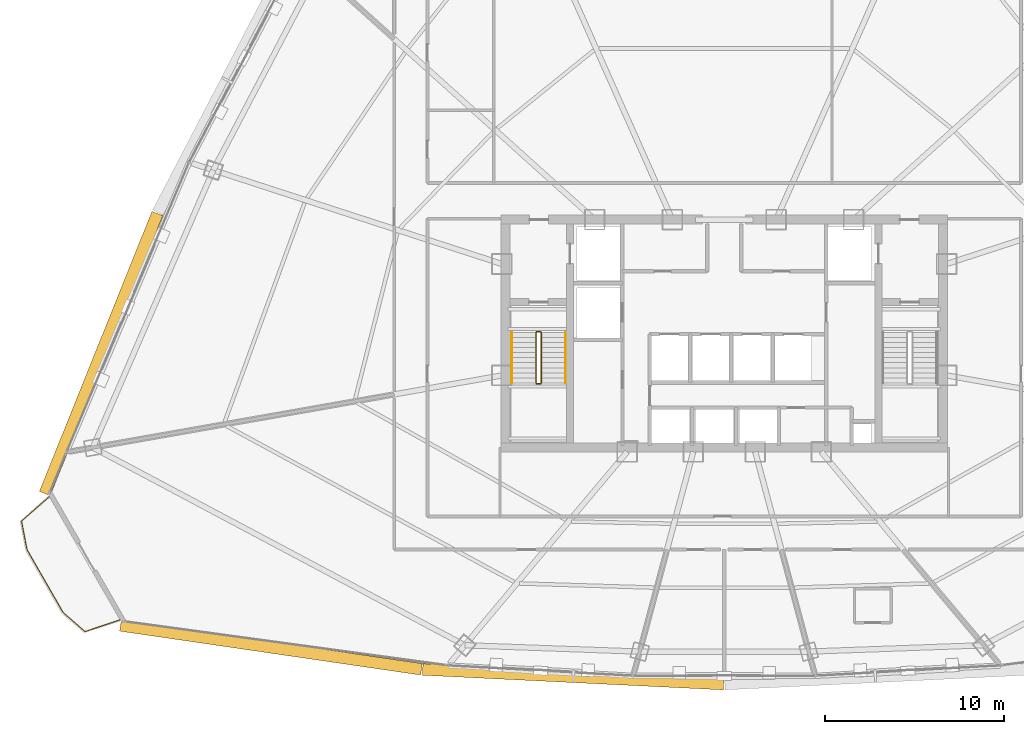
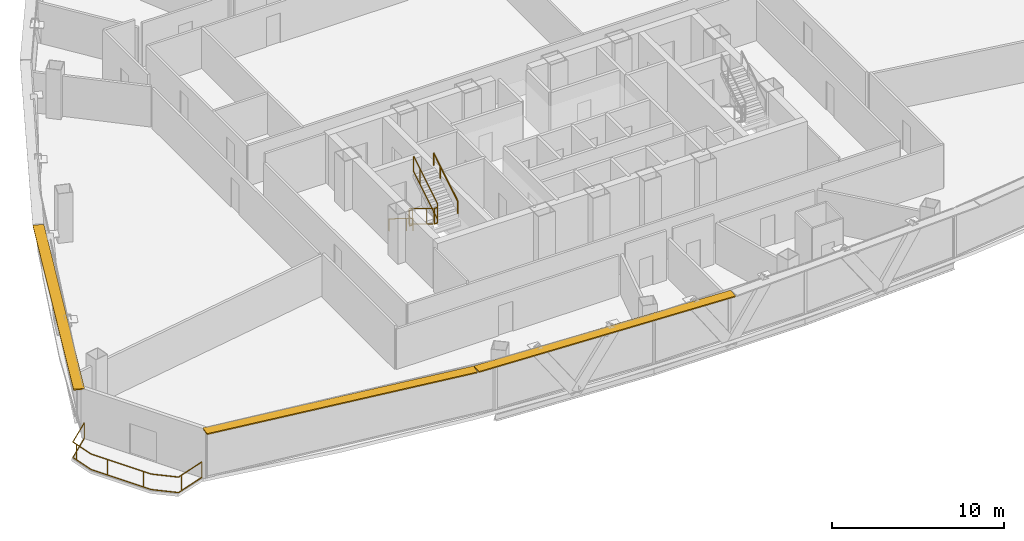
# One storey, part 33 of 36: 7 railings, 3 shading devices.
"""IFC4 building model written with IfcOpenShell, lengths in metres."""

from ifc_helpers import new_model, si_unit, direction, frame, origin, origin_2d, place, context, subcontext, project, spatial, rectangle, extrude, source, transform, mapped, material, layer, layer_set, type_object, element, save


model = new_model("IFC4")

# Units and contexts
model_context = context("Model", 3, precision=1e-05, world=origin(), true_north=direction((0.0, 1.0)))
body_context = subcontext(model_context, "Body", "Model", "MODEL_VIEW")
ifc_project = project(units=[si_unit("LENGTHUNIT", "METRE"), si_unit("AREAUNIT", "SQUARE_METRE"), si_unit("VOLUMEUNIT", "CUBIC_METRE"), si_unit("PLANEANGLEUNIT", "RADIAN"), si_unit("MASSUNIT", "GRAM", prefix="KILO"), si_unit("THERMODYNAMICTEMPERATUREUNIT", "KELVIN"), si_unit("POWERUNIT", "WATT")], contexts=[model_context])

# Site, building, storey
site_placement = place(None, origin())
site = spatial("IfcSite", under=ifc_project, at=site_placement, CompositionType="ELEMENT")
building_placement = place(site_placement, origin())
building = spatial("IfcBuilding", under=site, at=building_placement, Name="Yunzhuo Pagoda Commons", CompositionType="ELEMENT")
storey_placement = place(building_placement, frame((0.0, 0.0, 215.159912109375)))
storey = spatial("IfcBuildingStorey", under=building, at=storey_placement, Name="L54", CompositionType="ELEMENT", Elevation=215.159912109375)

# Railings
ifc_material = material(Name="Anodized aluminium 6063-T6", Category="aluminium")
railing_type_1 = type_object("IfcRailingType", Name="GR-ST1 Stair Well Guardrail 1150", PredefinedType="GUARDRAIL", material=ifc_material)
railing_1_placement = place(storey_placement, frame((37.5, 33.89990234375, 0.1728515625)))
element("IfcRailing", 1, at=railing_1_placement, inside=storey, type_object=railing_type_1, Name="L54 ST1 stair guard 1", PredefinedType="GUARDRAIL", context=body_context, shape_type="SweptSolid", body=[
    extrude(rectangle(XDim=0.048095703125, YDim=0.048095703125, at=origin_2d()), frame((0.0, 0.0, 1.1259765625), z_axis=(0.0, -0.851069175582, 0.525053576669), x_axis=(1.0, 0.0, 0.0)), (0.0, 0.0, 1.0), 3.289794921875),
    extrude(rectangle(XDim=0.048095703125, YDim=0.048095703125, at=origin_2d()), frame((0.0, 0.0, 0.02392578125), z_axis=(0.0, -0.851069175582, 0.525053576669), x_axis=(1.0, 0.0, 0.0)), (0.0, 0.0, 1.0), 3.289794921875),
    extrude(rectangle(XDim=0.0419921875, YDim=0.0419921875, at=origin_2d()), origin(), (0.0, 0.0, 1.0), 1.101806640625),
    extrude(rectangle(XDim=0.0419921875, YDim=0.0419921875, at=origin_2d()), frame((0.0, -2.04248046875, 1.260009765625)), (0.0, 0.0, 1.0), 1.101806640625),
    extrude(rectangle(XDim=0.0419921875, YDim=0.0419921875, at=origin_2d()), frame((0.0, -2.7998046875, 1.727294921875)), (0.0, 0.0, 1.0), 1.101806640625),
])
railing_2_placement = place(storey_placement, frame((37.550048828125, 31.050048828125, 1.900146484375)))
element("IfcRailing", 2, at=railing_2_placement, inside=storey, type_object=railing_type_1, Name="L54 ST1 stair guard 2", PredefinedType="GUARDRAIL", context=body_context, shape_type="SweptSolid", body=[
    extrude(rectangle(XDim=0.048095703125, YDim=0.048095703125, at=origin_2d()), frame((0.0, 0.0, 1.1259765625), z_axis=(1.0, 0.0, 0.0), x_axis=(0.0, 1.0, 0.0)), (0.0, 0.0, 1.0), 0.199951171875),
    extrude(rectangle(XDim=0.048095703125, YDim=0.048095703125, at=origin_2d()), frame((0.0, 0.0, 0.02392578125), z_axis=(1.0, 0.0, 0.0), x_axis=(0.0, 1.0, 0.0)), (0.0, 0.0, 1.0), 0.199951171875),
    extrude(rectangle(XDim=0.0419921875, YDim=0.0419921875, at=origin_2d()), origin(), (0.0, 0.0, 1.0), 1.101806640625),
    extrude(rectangle(XDim=0.0419921875, YDim=0.0419921875, at=origin_2d()), frame((0.199951171875, 0.0, 0.0)), (0.0, 0.0, 1.0), 1.101806640625),
])
railing_3_placement = place(storey_placement, frame((37.800048828125, 31.10009765625, 2.07275390625)))
element("IfcRailing", 3, at=railing_3_placement, inside=storey, type_object=railing_type_1, Name="L54 ST1 stair guard 3", PredefinedType="GUARDRAIL", context=body_context, shape_type="SweptSolid", body=[
    extrude(rectangle(XDim=0.048095703125, YDim=0.048095703125, at=origin_2d()), frame((0.0, 0.0, 1.1259765625), z_axis=(0.0, 0.851069175582, 0.525053576669), x_axis=(-1.0, 0.0, 0.0)), (0.0, 0.0, 1.0), 3.289794921875),
    extrude(rectangle(XDim=0.048095703125, YDim=0.048095703125, at=origin_2d()), frame((0.0, 0.0, 0.02392578125), z_axis=(0.0, 0.851069175582, 0.525053576669), x_axis=(-1.0, 0.0, 0.0)), (0.0, 0.0, 1.0), 3.289794921875),
    extrude(rectangle(XDim=0.0419921875, YDim=0.0419921875, at=origin_2d()), origin(), (0.0, 0.0, 1.0), 1.101806640625),
    extrude(rectangle(XDim=0.0419921875, YDim=0.0419921875, at=origin_2d()), frame((0.0, 2.04248046875, 1.260009765625)), (0.0, 0.0, 1.0), 1.101806640625),
    extrude(rectangle(XDim=0.0419921875, YDim=0.0419921875, at=origin_2d()), frame((0.0, 2.7998046875, 1.727294921875)), (0.0, 0.0, 1.0), 1.101806640625),
])
railing_4_placement = place(storey_placement, frame((37.550048828125, 33.949951171875, 0.0)))
element("IfcRailing", 4, at=railing_4_placement, inside=storey, type_object=railing_type_1, Name="L54 ST1 stair guard 4", PredefinedType="GUARDRAIL", context=body_context, shape_type="SweptSolid", body=[
    extrude(rectangle(XDim=0.048095703125, YDim=0.048095703125, at=origin_2d()), frame((0.0, 0.0, 1.1259765625), z_axis=(1.0, 0.0, 0.0), x_axis=(0.0, 1.0, 0.0)), (0.0, 0.0, 1.0), 0.199951171875),
    extrude(rectangle(XDim=0.048095703125, YDim=0.048095703125, at=origin_2d()), frame((0.0, 0.0, 0.02392578125), z_axis=(1.0, 0.0, 0.0), x_axis=(0.0, 1.0, 0.0)), (0.0, 0.0, 1.0), 0.199951171875),
    extrude(rectangle(XDim=0.0419921875, YDim=0.0419921875, at=origin_2d()), origin(), (0.0, 0.0, 1.0), 1.101806640625),
    extrude(rectangle(XDim=0.0419921875, YDim=0.0419921875, at=origin_2d()), frame((0.199951171875, 0.0, 0.0)), (0.0, 0.0, 1.0), 1.101806640625),
])
railing_type_2 = type_object("IfcRailingType", Name="HR-ST1 Stair Handrail 900", PredefinedType="HANDRAIL", material=ifc_material)
railing_5_placement = place(storey_placement, frame((36.14990234375, 33.89990234375, 0.1728515625)))
element("IfcRailing", 5, at=railing_5_placement, inside=storey, type_object=railing_type_2, Name="L54 ST1 stair handrail 1", PredefinedType="HANDRAIL", context=body_context, shape_type="SweptSolid", body=[
    extrude(rectangle(XDim=0.048095703125, YDim=0.048095703125, at=origin_2d()), frame((0.0, 0.0, 0.8759765625), z_axis=(0.0, -0.851069175582, 0.525053576669), x_axis=(1.0, 0.0, 0.0)), (0.0, 0.0, 1.0), 3.289794921875),
    extrude(rectangle(XDim=0.0419921875, YDim=0.0419921875, at=origin_2d()), origin(), (0.0, 0.0, 1.0), 0.851806640625),
    extrude(rectangle(XDim=0.0419921875, YDim=0.0419921875, at=origin_2d()), frame((0.0, -2.04248046875, 1.260009765625)), (0.0, 0.0, 1.0), 0.851806640625),
    extrude(rectangle(XDim=0.0419921875, YDim=0.0419921875, at=origin_2d()), frame((0.0, -2.7998046875, 1.727294921875)), (0.0, 0.0, 1.0), 0.851806640625),
])
railing_6_placement = place(storey_placement, frame((39.14990234375, 31.10009765625, 2.07275390625)))
element("IfcRailing", 6, at=railing_6_placement, inside=storey, type_object=railing_type_2, Name="L54 ST1 stair handrail 2", PredefinedType="HANDRAIL", context=body_context, shape_type="SweptSolid", body=[
    extrude(rectangle(XDim=0.048095703125, YDim=0.048095703125, at=origin_2d()), frame((0.0, 0.0, 0.8759765625), z_axis=(0.0, 0.851069175582, 0.525053576669), x_axis=(-1.0, 0.0, 0.0)), (0.0, 0.0, 1.0), 3.289794921875),
    extrude(rectangle(XDim=0.0419921875, YDim=0.0419921875, at=origin_2d()), origin(), (0.0, 0.0, 1.0), 0.851806640625),
    extrude(rectangle(XDim=0.0419921875, YDim=0.0419921875, at=origin_2d()), frame((0.0, 2.04248046875, 1.260009765625)), (0.0, 0.0, 1.0), 0.851806640625),
    extrude(rectangle(XDim=0.0419921875, YDim=0.0419921875, at=origin_2d()), frame((0.0, 2.7998046875, 1.727294921875)), (0.0, 0.0, 1.0), 0.851806640625),
])
railing_type_3 = type_object("IfcRailingType", Name="RL-BAL1 Exterior Terrace & Balcony Balustrade 1150", PredefinedType="BALUSTRADE", material=ifc_material)
railing_7_placement = place(storey_placement, frame((10.3671875, 24.74609375, 0.0)))
element("IfcRailing", 7, at=railing_7_placement, inside=storey, type_object=railing_type_3, Name="L54 corner balcony balustrade V1", PredefinedType="BALUSTRADE", context=body_context, shape_type="SweptSolid", body=[
    extrude(rectangle(XDim=0.048095703125, YDim=0.048095703125, at=origin_2d()), frame((0.0, 0.0, 1.1259765625), z_axis=(-0.753933830692, -0.656950362614, 0.0), x_axis=(0.656950362614, -0.753933830692, 0.0)), (0.0, 0.0, 1.0), 2.05908203125),
    extrude(rectangle(XDim=0.048095703125, YDim=0.048095703125, at=origin_2d()), frame((0.0, 0.0, 0.02392578125), z_axis=(-0.753933830692, -0.656950362614, 0.0), x_axis=(0.656950362614, -0.753933830692, 0.0)), (0.0, 0.0, 1.0), 2.05908203125),
    extrude(rectangle(XDim=0.048095703125, YDim=0.048095703125, at=origin_2d()), frame((-1.552490234375, -1.352783203125, 1.1259765625), z_axis=(0.188201640335, -0.982130410167, 0.0), x_axis=(0.982130410167, 0.188201640335, 0.0)), (0.0, 0.0, 1.0), 1.626708984375),
    extrude(rectangle(XDim=0.048095703125, YDim=0.048095703125, at=origin_2d()), frame((-1.552490234375, -1.352783203125, 0.02392578125), z_axis=(0.188201640335, -0.982130410167, 0.0), x_axis=(0.982130410167, 0.188201640335, 0.0)), (0.0, 0.0, 1.0), 1.626708984375),
    extrude(rectangle(XDim=0.048095703125, YDim=0.048095703125, at=origin_2d()), frame((-1.246337890625, -2.950439453125, 1.1259765625), z_axis=(0.497935758884, -0.86721391826, 0.0), x_axis=(0.86721391826, 0.497935758884, 0.0)), (0.0, 0.0, 1.0), 4.0361328125),
    extrude(rectangle(XDim=0.048095703125, YDim=0.048095703125, at=origin_2d()), frame((-1.246337890625, -2.950439453125, 0.02392578125), z_axis=(0.497935758884, -0.86721391826, 0.0), x_axis=(0.86721391826, 0.497935758884, 0.0)), (0.0, 0.0, 1.0), 4.0361328125),
    extrude(rectangle(XDim=0.048095703125, YDim=0.048095703125, at=origin_2d()), frame((0.763427734375, -6.45068359375, 1.1259765625), z_axis=(0.753282721455, -0.657696846242, 0.0), x_axis=(0.657696846242, 0.753282721455, 0.0)), (0.0, 0.0, 1.0), 1.626953125),
    extrude(rectangle(XDim=0.048095703125, YDim=0.048095703125, at=origin_2d()), frame((0.763427734375, -6.45068359375, 0.02392578125), z_axis=(0.753282721455, -0.657696846242, 0.0), x_axis=(0.657696846242, 0.753282721455, 0.0)), (0.0, 0.0, 1.0), 1.626953125),
    extrude(rectangle(XDim=0.048095703125, YDim=0.048095703125, at=origin_2d()), frame((1.989013671875, -7.520751953125, 1.1259765625), z_axis=(0.947419062147, 0.319995501031, 0.0), x_axis=(-0.319995501031, 0.947419062147, 0.0)), (0.0, 0.0, 1.0), 2.05908203125),
    extrude(rectangle(XDim=0.048095703125, YDim=0.048095703125, at=origin_2d()), frame((1.989013671875, -7.520751953125, 0.02392578125), z_axis=(0.947419062147, 0.319995501031, 0.0), x_axis=(-0.319995501031, 0.947419062147, 0.0)), (0.0, 0.0, 1.0), 2.05908203125),
    extrude(rectangle(XDim=0.0419921875, YDim=0.0419921875, at=origin_2d()), origin(), (0.0, 0.0, 1.0), 1.101806640625),
    extrude(rectangle(XDim=0.0419921875, YDim=0.0419921875, at=origin_2d()), frame((-1.48828125, -1.6875, 0.0)), (0.0, 0.0, 1.0), 1.101806640625),
    extrude(rectangle(XDim=0.0419921875, YDim=0.0419921875, at=origin_2d()), frame((-0.691650390625, -3.91650390625, 0.0)), (0.0, 0.0, 1.0), 1.101806640625),
    extrude(rectangle(XDim=0.0419921875, YDim=0.0419921875, at=origin_2d()), frame((0.50341796875, -5.997802734375, 0.0)), (0.0, 0.0, 1.0), 1.101806640625),
    extrude(rectangle(XDim=0.0419921875, YDim=0.0419921875, at=origin_2d()), frame((2.226806640625, -7.4404296875, 0.0)), (0.0, 0.0, 1.0), 1.101806640625),
    extrude(rectangle(XDim=0.0419921875, YDim=0.0419921875, at=origin_2d()), frame((3.93994140625, -6.86181640625, 0.0)), (0.0, 0.0, 1.0), 1.101806640625),
])

# Shading devices
ifc_layer = layer(ifc_material, 0.080078125)
ifc_layer_set = layer_set([ifc_layer], Name="Anodized aluminium 6063-T6")
shading_device_type = type_object("IfcShadingDeviceType", Name="SH-SUN1 Pagoda Horizontal Sunshade Eave 650", PredefinedType="USERDEFINED", material=ifc_layer_set)
shared_shape_1 = source(origin(), body_context, "Body", "SweptSolid", [
    extrude(rectangle(XDim=16.96484375, YDim=0.64990234375, at=origin_2d()), origin(), (0.0, 0.0, 1.0), 0.080078125),
])
shading_device_1_placement = place(storey_placement, frame((22.7255859375, 16.34912109375, 3.43994140625), z_axis=(0.0, 0.0, 1.0), x_axis=(0.989510666697, -0.144459823108, 0.0)))
element("IfcShadingDevice", 8, at=shading_device_1_placement, inside=storey, type_object=shading_device_type, Name="L54 horizontal pagoda sunshade eave F1.1", ObjectType="SUNSHADE", PredefinedType="USERDEFINED", context=body_context, shape_type="MappedRepresentation", body=[
    mapped(shared_shape_1, transform((0.0, 0.0, 0.0), scale=1.0)),
])
shared_shape_2 = source(origin(), body_context, "Body", "SweptSolid", [
    extrude(rectangle(XDim=16.806396484375, YDim=0.64990234375, at=origin_2d()), origin(), (0.0, 0.0, 1.0), 0.080078125),
])
shading_device_2_placement = place(storey_placement, frame((39.5751953125, 14.70947265625, 3.43994140625), z_axis=(0.0, 0.0, 1.0), x_axis=(0.998818043775, -0.04860571396, 0.0)))
element("IfcShadingDevice", 9, at=shading_device_2_placement, inside=storey, type_object=shading_device_type, Name="L54 horizontal pagoda sunshade eave F1.2", ObjectType="SUNSHADE", PredefinedType="USERDEFINED", context=body_context, shape_type="MappedRepresentation", body=[
    mapped(shared_shape_2, transform((0.0, 0.0, 0.0), scale=1.0)),
])
shared_shape_3 = source(origin(), body_context, "Body", "SweptSolid", [
    extrude(rectangle(XDim=16.82861328125, YDim=0.64990234375, at=origin_2d()), origin(), (0.0, 0.0, 1.0), 0.080078125),
])
shading_device_3_placement = place(storey_placement, frame((13.25048828125, 32.730712890625, 3.43994140625), z_axis=(0.0, 0.0, 1.0), x_axis=(-0.372987782576, -0.927836253899, 0.0)))
element("IfcShadingDevice", 10, at=shading_device_3_placement, inside=storey, type_object=shading_device_type, Name="L54 horizontal pagoda sunshade eave F3.4", ObjectType="SUNSHADE", PredefinedType="USERDEFINED", context=body_context, shape_type="MappedRepresentation", body=[
    mapped(shared_shape_3, transform((0.0, 0.0, 0.0), scale=1.0)),
])

save(model, "model.ifc")
